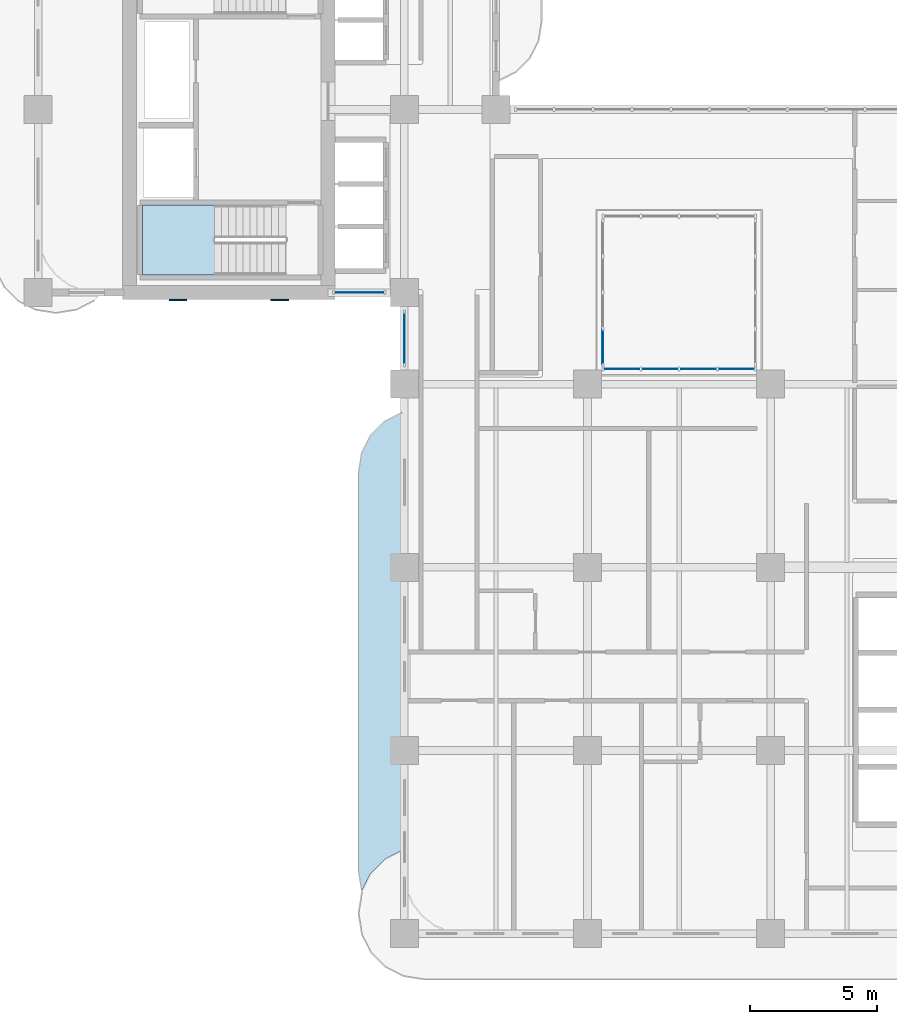
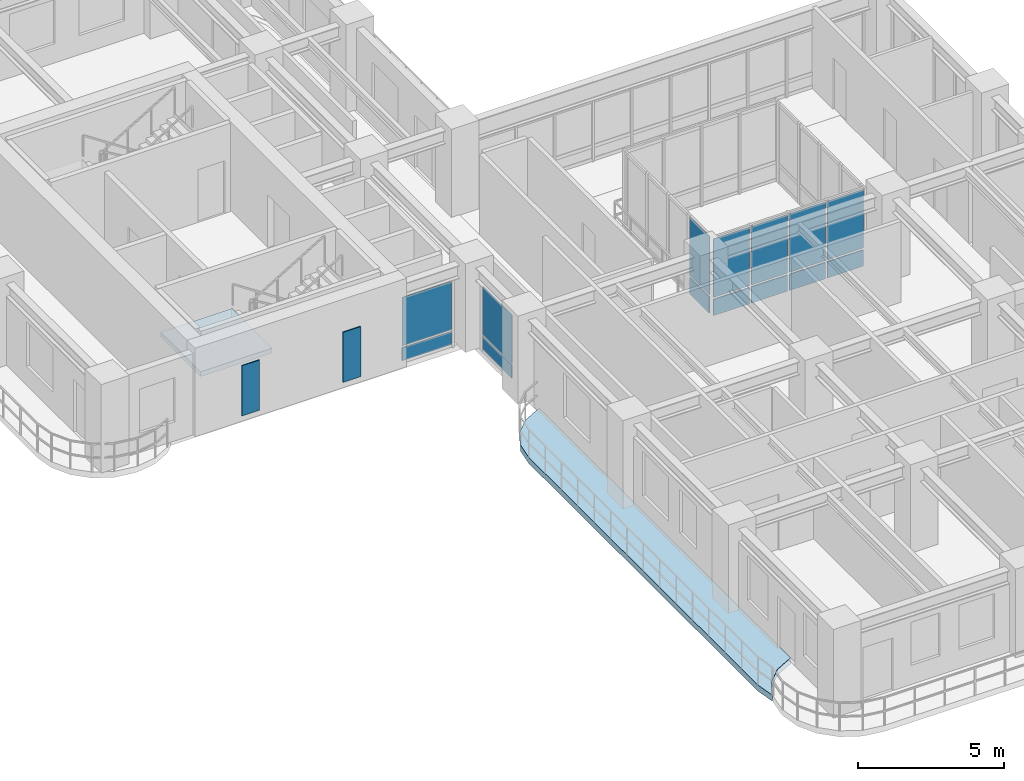
# One storey, part 6 of 19: 16 plates, 2 slabs, 5 elements without a shape of their own.
"""IFC4 building model written with IfcOpenShell, lengths in metres."""

from ifc_helpers import new_model, si_unit, derived_unit, direction, frame, origin, origin_2d, place, context, subcontext, project, spatial, polyline, rectangle, outline, extrude, source, transform, mapped, material, layer, layer_set, type_object, type_shapes, element, aggregate, save


model = new_model("IFC4")

# Units and contexts
model_context = context("Model", 3, precision=1e-05, world=origin(), true_north=direction((0.0, 1.0)))
body_context = subcontext(model_context, "Body", "Model", "MODEL_VIEW")
ifc_project = project(units=[si_unit("LENGTHUNIT", "METRE"), si_unit("AREAUNIT", "SQUARE_METRE"), si_unit("VOLUMEUNIT", "CUBIC_METRE"), si_unit("PLANEANGLEUNIT", "RADIAN"), si_unit("MASSUNIT", "GRAM", prefix="KILO"), si_unit("THERMODYNAMICTEMPERATUREUNIT", "KELVIN"), si_unit("POWERUNIT", "WATT"), derived_unit("THERMALTRANSMITTANCEUNIT", [(si_unit("POWERUNIT", "WATT"), 1), (si_unit("AREAUNIT", "SQUARE_METRE"), -1), (si_unit("THERMODYNAMICTEMPERATUREUNIT", "KELVIN"), -1)])], contexts=[model_context])

# Site, building, storey
site_placement = place(None, origin())
site = spatial("IfcSite", under=ifc_project, at=site_placement, CompositionType="ELEMENT")
building_placement = place(site_placement, origin())
building = spatial("IfcBuilding", under=site, at=building_placement, Name="Zahravan Archway Hotel and Residences", CompositionType="ELEMENT")
storey_placement = place(building_placement, frame((0.0, 0.0, 102.699951171875)))
storey = spatial("IfcBuildingStorey", under=building, at=storey_placement, Name="L25", CompositionType="ELEMENT", Elevation=102.699951171875)

# Slab
ifc_material_1 = material(Name="Concrete C45/55", Category="concrete")
ifc_layer_1 = layer(ifc_material_1, 0.25, Name="Concrete C45/55", Category="concrete")
ifc_layer_set_1 = layer_set([ifc_layer_1], Name="Concrete C45/55")
slab_type_1 = type_object("IfcSlabType", Name="SLB-BALC-250", PredefinedType="FLOOR", material=ifc_layer_set_1)
slab_1_placement = place(storey_placement, frame((0.0, 0.0, -0.25)))
element("IfcSlab", 1, at=slab_1_placement, inside=storey, type_object=slab_type_1, Name="L25 Wing A West Rounded Balcony Band", PredefinedType="FLOOR", context=body_context, shape_type="SweptSolid", body=[
    extrude(outline(polyline([(12.719970703125, 1.69287109375), (12.60009765625, 2.449951171875), (12.60009765625, 18.14990234375), (12.719970703125, 18.906982421875), (13.06787109375, 19.590087890625), (13.60986328125, 20.132080078125), (14.29296875, 20.47998046875), (14.3798828125, 20.493896484375), (14.3798828125, 3.298095703125), (14.37890625, 3.298095703125), (14.376953125, 3.2978515625), (14.35888671875, 3.294921875), (14.356689453125, 3.29443359375), (14.354736328125, 3.2939453125), (14.352783203125, 3.29296875), (13.64208984375, 2.930908203125), (13.64013671875, 2.9296875), (13.638427734375, 2.928466796875), (13.636962890625, 2.927001953125), (13.072998046875, 2.363037109375), (13.071533203125, 2.361572265625), (13.0703125, 2.35986328125), (13.069091796875, 2.35791015625), (12.72509765625, 1.6826171875), (12.719970703125, 1.69287109375)])), origin(), (0.0, 0.0, 1.0), 0.25),
])

# Stair, slab
ifc_material_2 = material(Name="Concrete C50/60", Category="concrete")
stair_type = type_object("IfcStairType", Name="STR-CORE-1300", PredefinedType="HALF_TURN_STAIR", material=ifc_material_2)
stair_placement = place(storey_placement, origin())
stair = element("IfcStair", 2, at=stair_placement, inside=storey, type_object=stair_type, Name="L25 Core B Exit Stair 1", PredefinedType="HALF_TURN_STAIR")
ifc_layer_2 = layer(ifc_material_2, 0.199951171875, Name="Concrete C50/60", Category="concrete")
ifc_layer_set_2 = layer_set([ifc_layer_2], Name="Concrete C50/60")
slab_type_2 = type_object("IfcSlabType", Name="SLB-LND-200", PredefinedType="LANDING", material=ifc_layer_set_2)
slab_2_placement = place(storey_placement, frame((0.0, 0.0, 1.650146484375)))
slab_2 = element("IfcSlab", 3, at=slab_2_placement, type_object=slab_type_2, Name="ST-B1 landing 1", PredefinedType="LANDING", context=body_context, shape_type="SweptSolid", body=[
    extrude(outline(polyline([(6.929931640625, 28.639892578125), (4.10009765625, 28.639892578125), (4.10009765625, 25.89990234375), (6.929931640625, 25.89990234375), (6.929931640625, 28.639892578125)])), origin(), (0.0, 0.0, 1.0), 0.199951171875),
])
aggregate(stair, [slab_2])

# Plates
ifc_material_3 = material(Name="Perforated Cast Bronze Jali Lattice")
ifc_layer_3 = layer(ifc_material_3, 0.044921875, Name="Perforated Cast Bronze Jali Lattice")
ifc_layer_set_3 = layer_set([ifc_layer_3], Name="Perforated Cast Bronze Jali Lattice")
plate_type_1 = type_object("IfcPlateType", Name="PLT-JALI-BAY", PredefinedType="USERDEFINED", material=ifc_layer_set_3)
shared_shape_1 = source(origin(), body_context, "Body", "SweptSolid", [
    extrude(rectangle(XDim=0.699951171875, YDim=0.044921875, at=origin_2d()), origin(), (0.0, 0.0, 1.0), 2.10009765625),
])
type_shapes(plate_type_1, [shared_shape_1])
for number, where, z_axis, x_axis, name in (
    (4, (5.5, 24.906982421875, 0.25), (0.0, 0.0, 1.0), (1.0, 0.0, 0.0), "L25 Core B South Mughal Jali Screen 1"),
    (5, (9.5, 24.906982421875, 0.25), (0.0, 0.0, 1.0), (1.0, 0.0, 0.0), "L25 Core B South Mughal Jali Screen 2"),
):
    element("IfcPlate", number, at=place(storey_placement, frame(where, z_axis=z_axis, x_axis=x_axis)), inside=storey, type_object=plate_type_1, Name=name, ObjectType="SCREEN", PredefinedType="USERDEFINED", context=body_context, shape_type="MappedRepresentation", body=[
        mapped(shared_shape_1, transform((0.0, 0.0, 0.0), scale=1.0)),
    ])

# Curtain wall, plates
ifc_material_4 = material(Name="Bronze-Anodized Unitised Aluminium & Low-E Glass", Category="aluminium")
ifc_layer_4 = layer(ifc_material_4, 0.179931640625, Name="Bronze-Anodized Unitised Aluminium & Low-E Glass", Category="aluminium")
ifc_layer_set_4 = layer_set([ifc_layer_4], Name="Bronze-Anodized Unitised Aluminium & Low-E Glass")
curtain_wall_type = type_object("IfcCurtainWallType", Name="CW-ATR-GLAZ", PredefinedType="NOTDEFINED", material=ifc_layer_set_4)
curtain_wall_1_placement = place(storey_placement, origin())
curtain_wall_1 = element("IfcCurtainWall", 6, at=curtain_wall_1_placement, inside=storey, type_object=curtain_wall_type, Name="L25 Curtain Wall CW-L25-WA-WLU-1", PredefinedType="NOTDEFINED")
ifc_material_5 = material(Name="Insulated Terracotta Spandrel Panel", Category="masonry")
ifc_layer_5 = layer(ifc_material_5, 0.0400390625, Name="Insulated Terracotta Spandrel Panel", Category="masonry")
ifc_layer_set_5 = layer_set([ifc_layer_5], Name="Insulated Terracotta Spandrel Panel")
plate_type_2 = type_object("IfcPlateType", Name="CWP-SPN-40", PredefinedType="SHEET", material=ifc_layer_set_5)
shared_shape_2 = source(origin(), body_context, "Body", "SweptSolid", [
    extrude(rectangle(XDim=2.0, YDim=0.0400390625, at=origin_2d()), origin(), (0.0, 0.0, 1.0), 0.540283203125),
])
plate_1_placement = place(storey_placement, frame((14.39990234375, 23.39990234375, 0.10009765625), z_axis=(0.0, 0.0, 1.0), x_axis=(0.0, 1.0, 0.0)))
plate_1 = element("IfcPlate", 7, at=plate_1_placement, type_object=plate_type_2, Name="CW-L25-WA-WLU-1 Spandrel Panel 0", PredefinedType="SHEET", context=body_context, shape_type="MappedRepresentation", body=[
    mapped(shared_shape_2, transform((0.0, 0.0, 0.0), scale=1.0)),
])
ifc_material_6 = material(Name="Double-Silver Low-E Insulated Vision Glass", Category="glass")
ifc_layer_6 = layer(ifc_material_6, 0.028076171875, Name="Double-Silver Low-E Insulated Vision Glass", Category="glass")
ifc_layer_set_6 = layer_set([ifc_layer_6], Name="Double-Silver Low-E Insulated Vision Glass")
plate_type_3 = type_object("IfcPlateType", Name="CWP-GLZ-28", PredefinedType="CURTAIN_PANEL", material=ifc_layer_set_6)
shared_shape_3 = source(origin(), body_context, "Body", "SweptSolid", [
    extrude(rectangle(XDim=2.0, YDim=0.028076171875, at=origin_2d()), origin(), (0.0, 0.0, 1.0), 2.0146484375),
])
plate_2_placement = place(storey_placement, frame((14.39990234375, 23.39990234375, 0.720458984375), z_axis=(0.0, 0.0, 1.0), x_axis=(0.0, 1.0, 0.0)))
plate_2 = element("IfcPlate", 8, at=plate_2_placement, type_object=plate_type_3, Name="CW-L25-WA-WLU-1 Low-E Vision Panel 0", PredefinedType="CURTAIN_PANEL", context=body_context, shape_type="MappedRepresentation", body=[
    mapped(shared_shape_3, transform((0.0, 0.0, 0.0), scale=1.0)),
])
aggregate(curtain_wall_1, [plate_1, plate_2])

curtain_wall_2_placement = place(storey_placement, origin())
curtain_wall_2 = element("IfcCurtainWall", 9, at=curtain_wall_2_placement, inside=storey, type_object=curtain_wall_type, Name="L25 Curtain Wall CW-L25-WB-SE-1", PredefinedType="NOTDEFINED")
shared_shape_4 = source(origin(), body_context, "Body", "SweptSolid", [
    extrude(rectangle(XDim=1.93994140625, YDim=0.0400390625, at=origin_2d()), origin(), (0.0, 0.0, 1.0), 0.540283203125),
])
plate_3_placement = place(storey_placement, frame((12.6298828125, 25.199951171875, 0.10009765625), z_axis=(0.0, 0.0, 1.0), x_axis=(1.0, 0.0, 0.0)))
plate_3 = element("IfcPlate", 10, at=plate_3_placement, type_object=plate_type_2, Name="CW-L25-WB-SE-1 Spandrel Panel 0", PredefinedType="SHEET", context=body_context, shape_type="MappedRepresentation", body=[
    mapped(shared_shape_4, transform((0.0, 0.0, 0.0), scale=1.0)),
])
shared_shape_5 = source(origin(), body_context, "Body", "SweptSolid", [
    extrude(rectangle(XDim=1.93994140625, YDim=0.028076171875, at=origin_2d()), origin(), (0.0, 0.0, 1.0), 2.0146484375),
])
plate_4_placement = place(storey_placement, frame((12.6298828125, 25.199951171875, 0.720458984375), z_axis=(0.0, 0.0, 1.0), x_axis=(1.0, 0.0, 0.0)))
plate_4 = element("IfcPlate", 11, at=plate_4_placement, type_object=plate_type_3, Name="CW-L25-WB-SE-1 Low-E Vision Panel 0", PredefinedType="CURTAIN_PANEL", context=body_context, shape_type="MappedRepresentation", body=[
    mapped(shared_shape_5, transform((0.0, 0.0, 0.0), scale=1.0)),
])
aggregate(curtain_wall_2, [plate_3, plate_4])

curtain_wall_3_placement = place(storey_placement, origin())
curtain_wall_3 = element("IfcCurtainWall", 12, at=curtain_wall_3_placement, inside=storey, type_object=curtain_wall_type, Name="L25 Curtain Wall CW-ATR-L25-S-1", PredefinedType="NOTDEFINED")
shared_shape_6 = source(origin(), body_context, "Body", "SweptSolid", [
    extrude(rectangle(XDim=1.419921875, YDim=0.0400390625, at=origin_2d()), origin(), (0.0, 0.0, 1.0), 0.676025390625),
])
plate_5_placement = place(storey_placement, frame((22.949951171875, 22.199951171875, 0.10009765625), z_axis=(0.0, 0.0, 1.0), x_axis=(1.0, 0.0, 0.0)))
plate_5 = element("IfcPlate", 13, at=plate_5_placement, type_object=plate_type_2, Name="CW-ATR-L25-S-1 Spandrel Panel 0", PredefinedType="SHEET", context=body_context, shape_type="MappedRepresentation", body=[
    mapped(shared_shape_6, transform((0.0, 0.0, 0.0), scale=1.0)),
])
plate_6_placement = place(storey_placement, frame((24.449951171875, 22.199951171875, 0.10009765625), z_axis=(0.0, 0.0, 1.0), x_axis=(1.0, 0.0, 0.0)))
plate_6 = element("IfcPlate", 14, at=plate_6_placement, type_object=plate_type_2, Name="CW-ATR-L25-S-1 Spandrel Panel 1", PredefinedType="SHEET", context=body_context, shape_type="MappedRepresentation", body=[
    mapped(shared_shape_6, transform((0.0, 0.0, 0.0), scale=1.0)),
])
plate_7_placement = place(storey_placement, frame((25.949951171875, 22.199951171875, 0.10009765625), z_axis=(0.0, 0.0, 1.0), x_axis=(1.0, 0.0, 0.0)))
plate_7 = element("IfcPlate", 15, at=plate_7_placement, type_object=plate_type_2, Name="CW-ATR-L25-S-1 Spandrel Panel 2", PredefinedType="SHEET", context=body_context, shape_type="MappedRepresentation", body=[
    mapped(shared_shape_6, transform((0.0, 0.0, 0.0), scale=1.0)),
])
plate_8_placement = place(storey_placement, frame((27.449951171875, 22.199951171875, 0.10009765625), z_axis=(0.0, 0.0, 1.0), x_axis=(1.0, 0.0, 0.0)))
plate_8 = element("IfcPlate", 16, at=plate_8_placement, type_object=plate_type_2, Name="CW-ATR-L25-S-1 Spandrel Panel 3", PredefinedType="SHEET", context=body_context, shape_type="MappedRepresentation", body=[
    mapped(shared_shape_6, transform((0.0, 0.0, 0.0), scale=1.0)),
])
shared_shape_7 = source(origin(), body_context, "Body", "SweptSolid", [
    extrude(rectangle(XDim=1.419921875, YDim=0.028076171875, at=origin_2d()), origin(), (0.0, 0.0, 1.0), 2.444091796875),
])
plate_9_placement = place(storey_placement, frame((22.949951171875, 22.199951171875, 0.85595703125), z_axis=(0.0, 0.0, 1.0), x_axis=(1.0, 0.0, 0.0)))
plate_9 = element("IfcPlate", 17, at=plate_9_placement, type_object=plate_type_3, Name="CW-ATR-L25-S-1 Low-E Vision Panel 0", PredefinedType="CURTAIN_PANEL", context=body_context, shape_type="MappedRepresentation", body=[
    mapped(shared_shape_7, transform((0.0, 0.0, 0.0), scale=1.0)),
])
plate_10_placement = place(storey_placement, frame((24.449951171875, 22.199951171875, 0.85595703125), z_axis=(0.0, 0.0, 1.0), x_axis=(1.0, 0.0, 0.0)))
plate_10 = element("IfcPlate", 18, at=plate_10_placement, type_object=plate_type_3, Name="CW-ATR-L25-S-1 Low-E Vision Panel 1", PredefinedType="CURTAIN_PANEL", context=body_context, shape_type="MappedRepresentation", body=[
    mapped(shared_shape_7, transform((0.0, 0.0, 0.0), scale=1.0)),
])
plate_11_placement = place(storey_placement, frame((25.949951171875, 22.199951171875, 0.85595703125), z_axis=(0.0, 0.0, 1.0), x_axis=(1.0, 0.0, 0.0)))
plate_11 = element("IfcPlate", 19, at=plate_11_placement, type_object=plate_type_3, Name="CW-ATR-L25-S-1 Low-E Vision Panel 2", PredefinedType="CURTAIN_PANEL", context=body_context, shape_type="MappedRepresentation", body=[
    mapped(shared_shape_7, transform((0.0, 0.0, 0.0), scale=1.0)),
])
plate_12_placement = place(storey_placement, frame((27.449951171875, 22.199951171875, 0.85595703125), z_axis=(0.0, 0.0, 1.0), x_axis=(1.0, 0.0, 0.0)))
plate_12 = element("IfcPlate", 20, at=plate_12_placement, type_object=plate_type_3, Name="CW-ATR-L25-S-1 Low-E Vision Panel 3", PredefinedType="CURTAIN_PANEL", context=body_context, shape_type="MappedRepresentation", body=[
    mapped(shared_shape_7, transform((0.0, 0.0, 0.0), scale=1.0)),
])
aggregate(curtain_wall_3, [plate_5, plate_9, plate_6, plate_10, plate_7, plate_11, plate_8, plate_12])

curtain_wall_4_placement = place(storey_placement, origin())
curtain_wall_4 = element("IfcCurtainWall", 21, at=curtain_wall_4_placement, inside=storey, type_object=curtain_wall_type, Name="L25 Curtain Wall CW-ATR-L25-W-1", PredefinedType="NOTDEFINED")
shared_shape_8 = source(origin(), body_context, "Body", "SweptSolid", [
    extrude(rectangle(XDim=1.344970703125, YDim=0.0400390625, at=origin_2d()), origin(), (0.0, 0.0, 1.0), 0.676025390625),
])
plate_13_placement = place(storey_placement, frame((22.199951171875, 23.0625, 0.10009765625), z_axis=(0.0, 0.0, 1.0), x_axis=(0.0, 1.0, 0.0)))
plate_13 = element("IfcPlate", 22, at=plate_13_placement, type_object=plate_type_2, Name="CW-ATR-L25-W-1 Spandrel Panel 0", PredefinedType="SHEET", context=body_context, shape_type="MappedRepresentation", body=[
    mapped(shared_shape_8, transform((0.0, 0.0, 0.0), scale=1.0)),
])
shared_shape_9 = source(origin(), body_context, "Body", "SweptSolid", [
    extrude(rectangle(XDim=1.344970703125, YDim=0.028076171875, at=origin_2d()), origin(), (0.0, 0.0, 1.0), 2.444091796875),
])
plate_14_placement = place(storey_placement, frame((22.199951171875, 23.0625, 0.85595703125), z_axis=(0.0, 0.0, 1.0), x_axis=(0.0, 1.0, 0.0)))
plate_14 = element("IfcPlate", 23, at=plate_14_placement, type_object=plate_type_3, Name="CW-ATR-L25-W-1 Low-E Vision Panel 0", PredefinedType="CURTAIN_PANEL", context=body_context, shape_type="MappedRepresentation", body=[
    mapped(shared_shape_9, transform((0.0, 0.0, 0.0), scale=1.0)),
])
aggregate(curtain_wall_4, [plate_13, plate_14])

save(model, "model.ifc")
